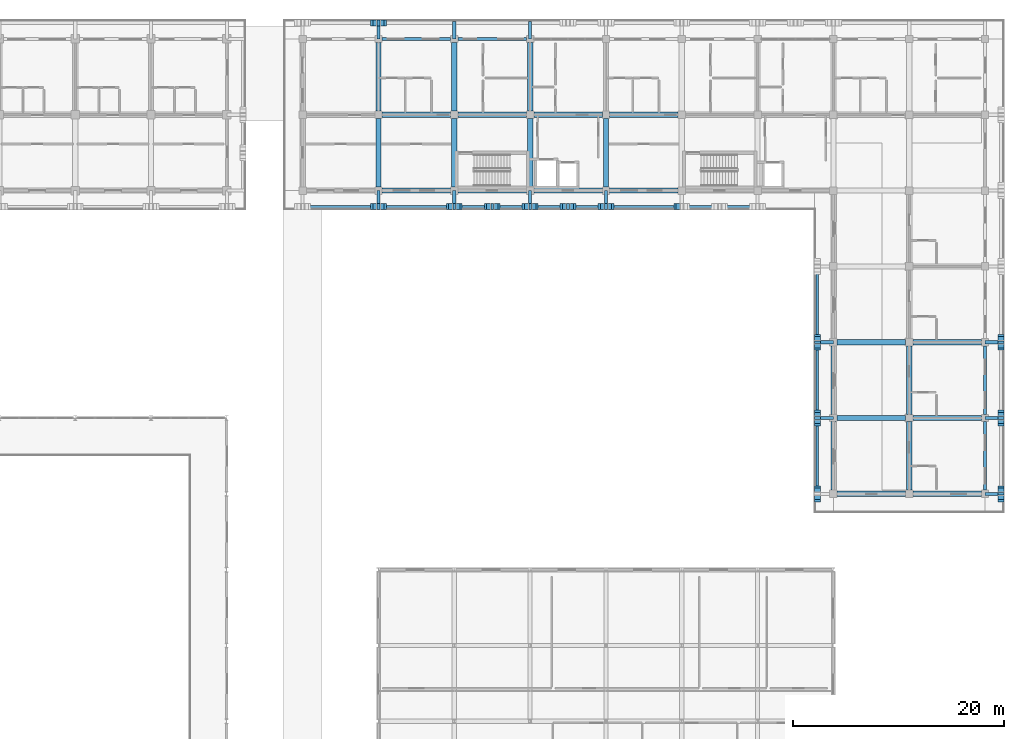
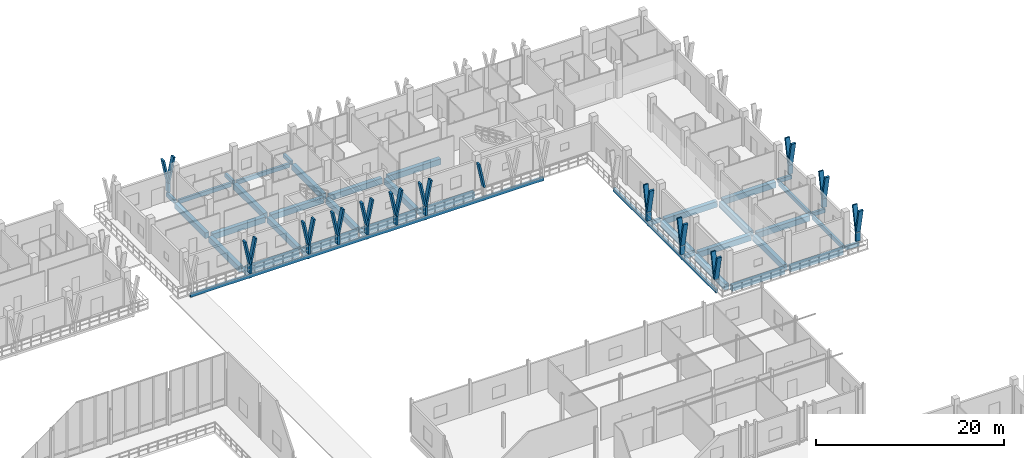
# One storey, part 51 of 110: 43 beams, 39 members.
"""IFC4 building model written with IfcOpenShell, lengths in metres."""

from ifc_helpers import new_model, si_unit, direction, frame, origin, origin_2d, place, context, subcontext, project, spatial, rectangle, extrude, material, material_profile, profile_set, type_object, element, save


model = new_model("IFC4")

# Units and contexts
model_context = context("Model", 3, precision=1e-05, world=origin(), true_north=direction((0.0, 1.0)))
body_context = subcontext(model_context, "Body", "Model", "MODEL_VIEW")
ifc_project = project(units=[si_unit("LENGTHUNIT", "METRE"), si_unit("AREAUNIT", "SQUARE_METRE"), si_unit("VOLUMEUNIT", "CUBIC_METRE"), si_unit("PLANEANGLEUNIT", "RADIAN"), si_unit("MASSUNIT", "GRAM", prefix="KILO")], contexts=[model_context])

# Site, building, storey
site_placement = place(None, origin())
site = spatial("IfcSite", under=ifc_project, at=site_placement, CompositionType="ELEMENT")
building_placement = place(site_placement, origin())
building = spatial("IfcBuilding", under=site, at=building_placement, Name="Suanplinth Sawtooth Commons", CompositionType="ELEMENT")
storey_placement = place(building_placement, frame((0.0, 0.0, 4.5)))
storey = spatial("IfcBuildingStorey", under=building, at=storey_placement, Name="L01", CompositionType="ELEMENT", Elevation=4.5)

# Beams
ifc_material_1 = material(Name="Concrete C40/50", Category="concrete")
ifc_material_profile_1 = material_profile(ifc_material_1, rectangle(XDim=0.5, YDim=0.75, at=origin_2d()), Name="RC-GDR 500x750")
ifc_profile_set_1 = profile_set([ifc_material_profile_1], Name="Concrete C40/50")
beam_type_1 = type_object("IfcBeamType", Name="B-03", PredefinedType="USERDEFINED", material=ifc_profile_set_1)
for number, where, z_axis, x_axis, name in (
    (1, (129.949951171875, 108.0, -0.675048828125), (1.0, 0.0, 0.0), (0.0, 1.0, 0.0), "BMX-L01-B-18-15"),
    (2, (129.949951171875, 115.199951171875, -0.675048828125), (1.0, 0.0, 0.0), (0.0, 1.0, 0.0), "BMX-L01-B-18-16"),
    (3, (137.14990234375, 108.0, -0.675048828125), (1.0, 0.0, 0.0), (0.0, 1.0, 0.0), "BMX-L01-B-19-15"),
    (4, (137.14990234375, 115.199951171875, -0.675048828125), (1.0, 0.0, 0.0), (0.0, 1.0, 0.0), "BMX-L01-B-19-16"),
    (5, (144.35009765625, 108.0, -0.675048828125), (1.0, 0.0, 0.0), (0.0, 1.0, 0.0), "BMX-L01-B-20-15"),
    (6, (144.35009765625, 115.199951171875, -0.675048828125), (1.0, 0.0, 0.0), (0.0, 1.0, 0.0), "BMX-L01-B-20-16"),
    (7, (151.550048828125, 108.0, -0.675048828125), (1.0, 0.0, 0.0), (0.0, 1.0, 0.0), "BMX-L01-B-21-15"),
    (8, (151.550048828125, 115.199951171875, -0.675048828125), (1.0, 0.0, 0.0), (0.0, 1.0, 0.0), "BMX-L01-B-21-16"),
    (9, (173.14990234375, 79.199951171875, -0.675048828125), (1.0, 0.0, 0.0), (0.0, 1.0, 0.0), "BMX-L01-B-24-11"),
    (10, (173.14990234375, 86.39990234375, -0.675048828125), (1.0, 0.0, 0.0), (0.0, 1.0, 0.0), "BMX-L01-B-24-12"),
    (11, (173.14990234375, 93.60009765625, -0.675048828125), (1.0, 0.0, 0.0), (0.0, 1.0, 0.0), "BMX-L01-B-24-13"),
    (12, (180.35009765625, 79.199951171875, -0.675048828125), (1.0, 0.0, 0.0), (0.0, 1.0, 0.0), "BMX-L01-B-25-11"),
    (13, (180.35009765625, 86.39990234375, -0.675048828125), (1.0, 0.0, 0.0), (0.0, 1.0, 0.0), "BMX-L01-B-25-12"),
    (14, (180.35009765625, 93.60009765625, -0.675048828125), (1.0, 0.0, 0.0), (0.0, 1.0, 0.0), "BMX-L01-B-25-13"),
    (15, (129.60009765625, 108.35009765625, -0.675048828125), (0.0, 1.0, 0.0), (-1.0, 0.0, 0.0), "BMY-L01-B-18-15"),
    (16, (129.60009765625, 115.550048828125, -0.675048828125), (0.0, 1.0, 0.0), (-1.0, 0.0, 0.0), "BMY-L01-B-18-16"),
    (17, (136.800048828125, 108.35009765625, -0.675048828125), (0.0, 1.0, 0.0), (-1.0, 0.0, 0.0), "BMY-L01-B-19-15"),
    (18, (136.800048828125, 115.550048828125, -0.675048828125), (0.0, 1.0, 0.0), (-1.0, 0.0, 0.0), "BMY-L01-B-19-16"),
    (19, (144.0, 108.35009765625, -0.675048828125), (0.0, 1.0, 0.0), (-1.0, 0.0, 0.0), "BMY-L01-B-20-15"),
    (20, (144.0, 115.550048828125, -0.675048828125), (0.0, 1.0, 0.0), (-1.0, 0.0, 0.0), "BMY-L01-B-20-16"),
    (21, (151.199951171875, 108.35009765625, -0.675048828125), (0.0, 1.0, 0.0), (-1.0, 0.0, 0.0), "BMY-L01-B-21-15"),
    (22, (172.800048828125, 79.550048828125, -0.675048828125), (0.0, 1.0, 0.0), (-1.0, 0.0, 0.0), "BMY-L01-B-24-11"),
    (23, (172.800048828125, 86.75, -0.675048828125), (0.0, 1.0, 0.0), (-1.0, 0.0, 0.0), "BMY-L01-B-24-12"),
    (24, (180.0, 79.550048828125, -0.675048828125), (0.0, 1.0, 0.0), (-1.0, 0.0, 0.0), "BMY-L01-B-25-11"),
    (25, (180.0, 86.75, -0.675048828125), (0.0, 1.0, 0.0), (-1.0, 0.0, 0.0), "BMY-L01-B-25-12"),
):
    element("IfcBeam", number, at=place(storey_placement, frame(where, z_axis=z_axis, x_axis=x_axis)), inside=storey, type_object=beam_type_1, Name=name, ObjectType="GIRDER", PredefinedType="USERDEFINED", context=body_context, shape_type="SweptSolid", body=[
        extrude(rectangle(XDim=0.5, YDim=0.75, at=origin_2d()), origin(), (0.0, 0.0, 1.0), 6.5),
    ])
ifc_material_2 = material(Name="Precast concrete C40/50", Category="concrete")
ifc_material_profile_2 = material_profile(ifc_material_2, rectangle(XDim=0.300048828125, YDim=0.5, at=origin_2d()), Name="PC-BM 300x500")
ifc_profile_set_2 = profile_set([ifc_material_profile_2], Name="Precast concrete C40/50")
beam_type_2 = type_object("IfcBeamType", Name="B-07", PredefinedType="BEAM", material=ifc_profile_set_2)
for number, where, z_axis, x_axis, name in (
    (26, (129.60009765625, 122.39990234375, -0.429931640625), (0.0, 1.0, 0.0), (-1.0, 0.0, 0.0), "Balcony Outrigger L01-B-N-18"),
    (27, (136.800048828125, 122.39990234375, -0.429931640625), (0.0, 1.0, 0.0), (-1.0, 0.0, 0.0), "Balcony Outrigger L01-B-N-19"),
    (28, (144.0, 122.39990234375, -0.429931640625), (0.0, 1.0, 0.0), (-1.0, 0.0, 0.0), "Balcony Outrigger L01-B-N-20"),
    (29, (187.199951171875, 79.199951171875, -0.429931640625), (1.0, 0.0, 0.0), (0.0, 1.0, 0.0), "Balcony Outrigger L01-B-E-11"),
    (30, (187.199951171875, 86.39990234375, -0.429931640625), (1.0, 0.0, 0.0), (0.0, 1.0, 0.0), "Balcony Outrigger L01-B-E-12"),
    (31, (187.199951171875, 93.60009765625, -0.429931640625), (1.0, 0.0, 0.0), (0.0, 1.0, 0.0), "Balcony Outrigger L01-B-E-13"),
):
    element("IfcBeam", number, at=place(storey_placement, frame(where, z_axis=z_axis, x_axis=x_axis)), inside=storey, type_object=beam_type_2, Name=name, PredefinedType="BEAM", context=body_context, shape_type="SweptSolid", body=[
        extrude(rectangle(XDim=0.300048828125, YDim=0.5, at=origin_2d()), origin(), (0.0, 0.0, 1.0), 1.64013671875),
    ])
for number, where, z_axis, x_axis, name in (
    (32, (129.60009765625, 108.0, -0.425048828125), (0.0, -1.0, 0.0), (1.0, 0.0, 0.0), "Balcony Outrigger L01-B-SC-18"),
    (33, (136.800048828125, 108.0, -0.425048828125), (0.0, -1.0, 0.0), (1.0, 0.0, 0.0), "Balcony Outrigger L01-B-SC-19"),
    (34, (144.0, 108.0, -0.425048828125), (0.0, -1.0, 0.0), (1.0, 0.0, 0.0), "Balcony Outrigger L01-B-SC-20"),
    (35, (151.199951171875, 108.0, -0.425048828125), (0.0, -1.0, 0.0), (1.0, 0.0, 0.0), "Balcony Outrigger L01-B-SC-21"),
):
    element("IfcBeam", number, at=place(storey_placement, frame(where, z_axis=z_axis, x_axis=x_axis)), inside=storey, type_object=beam_type_2, Name=name, PredefinedType="BEAM", context=body_context, shape_type="SweptSolid", body=[
        extrude(rectangle(XDim=0.300048828125, YDim=0.5, at=origin_2d()), origin(), (0.0, 0.0, 1.0), 1.639892578125),
    ])
for number, where, z_axis, x_axis, name in (
    (36, (172.800048828125, 86.39990234375, -0.425048828125), (-1.0, 0.0, 0.0), (0.0, -1.0, 0.0), "Balcony Outrigger L01-B-WC-12"),
    (37, (172.800048828125, 93.60009765625, -0.425048828125), (-1.0, 0.0, 0.0), (0.0, -1.0, 0.0), "Balcony Outrigger L01-B-WC-13"),
):
    element("IfcBeam", number, at=place(storey_placement, frame(where, z_axis=z_axis, x_axis=x_axis)), inside=storey, type_object=beam_type_2, Name=name, PredefinedType="BEAM", context=body_context, shape_type="SweptSolid", body=[
        extrude(rectangle(XDim=0.300048828125, YDim=0.5, at=origin_2d()), origin(), (0.0, 0.0, 1.0), 1.64013671875),
    ])
ifc_material_profile_3 = material_profile(ifc_material_2, rectangle(XDim=0.280029296875, YDim=0.52001953125, at=origin_2d()), Name="PC-SP 280x520")
ifc_profile_set_3 = profile_set([ifc_material_profile_3], Name="Precast concrete C40/50")
beam_type_3 = type_object("IfcBeamType", Name="B-08", PredefinedType="SPANDREL", material=ifc_profile_set_3)
for number, where, z_axis, x_axis, name in (
    (38, (129.949951171875, 122.39990234375, -0.56005859375), (1.0, 0.0, 0.0), (0.0, 1.0, 0.0), "BMX-L01-B-18-17"),
    (39, (137.14990234375, 122.39990234375, -0.56005859375), (1.0, 0.0, 0.0), (0.0, 1.0, 0.0), "BMX-L01-B-19-17"),
    (40, (187.199951171875, 79.550048828125, -0.56005859375), (0.0, 1.0, 0.0), (-1.0, 0.0, 0.0), "BMY-L01-B-26-11"),
    (41, (187.199951171875, 86.75, -0.56005859375), (0.0, 1.0, 0.0), (-1.0, 0.0, 0.0), "BMY-L01-B-26-12"),
):
    element("IfcBeam", number, at=place(storey_placement, frame(where, z_axis=z_axis, x_axis=x_axis)), inside=storey, type_object=beam_type_3, Name=name, PredefinedType="SPANDREL", context=body_context, shape_type="SweptSolid", body=[
        extrude(rectangle(XDim=0.280029296875, YDim=0.52001953125, at=origin_2d()), origin(), (0.0, 0.0, 1.0), 6.5),
    ])
ifc_material_profile_4 = material_profile(ifc_material_2, rectangle(XDim=0.25, YDim=0.449951171875, at=origin_2d()), Name="PC-SP 250x450")
ifc_profile_set_4 = profile_set([ifc_material_profile_4], Name="Precast concrete C40/50")
beam_type_4 = type_object("IfcBeamType", Name="B-09", PredefinedType="SPANDREL", material=ifc_profile_set_4)
beam_1_placement = place(storey_placement, frame((122.25, 106.47998046875, -0.39990234375), z_axis=(1.0, 0.0, 0.0), x_axis=(0.0, 1.0, 0.0)))
element("IfcBeam", 42, at=beam_1_placement, inside=storey, type_object=beam_type_4, Name="Balcony Edge Fascia L01-B-SC", PredefinedType="SPANDREL", context=body_context, shape_type="SweptSolid", body=[
    extrude(rectangle(XDim=0.25, YDim=0.449951171875, at=origin_2d()), origin(), (0.0, 0.0, 1.0), 43.5),
])
beam_2_placement = place(storey_placement, frame((171.280029296875, 79.050048828125, -0.39990234375), z_axis=(0.0, 1.0, 0.0), x_axis=(-1.0, 0.0, 0.0)))
element("IfcBeam", 43, at=beam_2_placement, inside=storey, type_object=beam_type_4, Name="Balcony Edge Fascia L01-B-WC", PredefinedType="SPANDREL", context=body_context, shape_type="SweptSolid", body=[
    extrude(rectangle(XDim=0.25, YDim=0.449951171875, at=origin_2d()), origin(), (0.0, 0.0, 1.0), 21.89990234375),
])

# Members
ifc_material_3 = material(Name="Pigmented precast concrete C40/50", Category="concrete")
ifc_material_profile_5 = material_profile(ifc_material_3, rectangle(XDim=0.260009765625, YDim=0.550048828125, at=origin_2d()), Name="PC-FIN 260x550")
ifc_profile_set_5 = profile_set([ifc_material_profile_5], Name="Pigmented precast concrete C40/50")
member_type_1 = type_object("IfcMemberType", Name="M-09", PredefinedType="USERDEFINED", material=ifc_profile_set_5)
for number, where, z_axis, x_axis, name in (
    (44, (129.60009765625, 123.919921875, 0.0), (0.0, 0.0, 1.0), (1.0, 0.0, 0.0), "Y-Blade Stem L01-B-N-02"),
    (45, (188.719970703125, 79.199951171875, 0.0), (0.0, 0.0, 1.0), (0.0, 1.0, 0.0), "Y-Blade Stem L01-B-E-09"),
    (46, (188.719970703125, 86.39990234375, 0.0), (0.0, 0.0, 1.0), (0.0, 1.0, 0.0), "Y-Blade Stem L01-B-E-10"),
    (47, (188.719970703125, 93.60009765625, 0.0), (0.0, 0.0, 1.0), (0.0, 1.0, 0.0), "Y-Blade Stem L01-B-E-11"),
    (48, (129.60009765625, 106.47998046875, 0.0), (0.0, 0.0, 1.0), (1.0, 0.0, 0.0), "Y-Blade Stem L01-B-SC-16"),
    (49, (136.800048828125, 106.47998046875, 0.0), (0.0, 0.0, 1.0), (1.0, 0.0, 0.0), "Y-Blade Stem L01-B-SC-17"),
    (50, (140.39990234375, 106.47998046875, 0.0), (0.0, 0.0, 1.0), (1.0, 0.0, 0.0), "Y-Blade Stem L01-B-SC-18"),
    (51, (144.0, 106.47998046875, 0.0), (0.0, 0.0, 1.0), (1.0, 0.0, 0.0), "Y-Blade Stem L01-B-SC-19"),
    (52, (147.60009765625, 106.47998046875, 0.0), (0.0, 0.0, 1.0), (1.0, 0.0, 0.0), "Y-Blade Stem L01-B-SC-20"),
    (53, (151.199951171875, 106.47998046875, 0.0), (0.0, 0.0, 1.0), (1.0, 0.0, 0.0), "Y-Blade Stem L01-B-SC-21"),
    (54, (171.280029296875, 86.39990234375, 0.0), (0.0, 0.0, 1.0), (0.0, 1.0, 0.0), "Y-Blade Stem L01-B-WC-26"),
    (55, (171.280029296875, 93.60009765625, 0.0), (0.0, 0.0, 1.0), (0.0, 1.0, 0.0), "Y-Blade Stem L01-B-WC-27"),
):
    element("IfcMember", number, at=place(storey_placement, frame(where, z_axis=z_axis, x_axis=x_axis)), inside=storey, type_object=member_type_1, Name=name, ObjectType="SHADING FIN", PredefinedType="USERDEFINED", context=body_context, shape_type="SweptSolid", body=[
        extrude(rectangle(XDim=0.260009765625, YDim=0.550048828125, at=origin_2d()), origin(), (0.0, 0.0, 1.0), 1.169921875),
    ])
ifc_material_profile_6 = material_profile(ifc_material_3, rectangle(XDim=0.219970703125, YDim=0.550048828125, at=origin_2d()), Name="PC-FIN 220x550")
ifc_profile_set_6 = profile_set([ifc_material_profile_6], Name="Pigmented precast concrete C40/50")
member_type_2 = type_object("IfcMemberType", Name="M-10", PredefinedType="USERDEFINED", material=ifc_profile_set_6)
member_1_placement = place(storey_placement, frame((129.60009765625, 123.919921875, 1.1298828125), z_axis=(-0.197582858822, 0.0, 0.980286189793), x_axis=(0.980286189793, 0.0, 0.197582858822)))
element("IfcMember", 56, at=member_1_placement, inside=storey, type_object=member_type_2, Name="Y-Blade Arm L L01-B-N-02", ObjectType="SHADING FIN", PredefinedType="USERDEFINED", context=body_context, shape_type="SweptSolid", body=[
    extrude(rectangle(XDim=0.219970703125, YDim=0.550048828125, at=origin_2d()), origin(), (0.0, 0.0, 1.0), 3.2646484375),
])
for number, where, z_axis, x_axis, name in (
    (57, (129.60009765625, 123.919921875, 1.1298828125), (0.197510991436, 0.0, 0.980300672377), (-0.980300672377, 0.0, 0.197510991436), "Y-Blade Arm R L01-B-N-02"),
    (58, (188.719970703125, 79.199951171875, 1.1298828125), (0.0, -0.197510991436, 0.980300672377), (0.0, 0.980300672377, 0.197510991436), "Y-Blade Arm L L01-B-E-09"),
):
    element("IfcMember", number, at=place(storey_placement, frame(where, z_axis=z_axis, x_axis=x_axis)), inside=storey, type_object=member_type_2, Name=name, ObjectType="SHADING FIN", PredefinedType="USERDEFINED", context=body_context, shape_type="SweptSolid", body=[
        extrude(rectangle(XDim=0.219970703125, YDim=0.550048828125, at=origin_2d()), origin(), (0.0, 0.0, 1.0), 3.264404296875),
    ])
member_2_placement = place(storey_placement, frame((188.719970703125, 79.199951171875, 1.1298828125), z_axis=(0.0, 0.197582858822, 0.980286189793), x_axis=(0.0, -0.980286189793, 0.197582858822)))
element("IfcMember", 59, at=member_2_placement, inside=storey, type_object=member_type_2, Name="Y-Blade Arm R L01-B-E-09", ObjectType="SHADING FIN", PredefinedType="USERDEFINED", context=body_context, shape_type="SweptSolid", body=[
    extrude(rectangle(XDim=0.219970703125, YDim=0.550048828125, at=origin_2d()), origin(), (0.0, 0.0, 1.0), 3.2646484375),
])
member_3_placement = place(storey_placement, frame((188.719970703125, 86.39990234375, 1.1298828125), z_axis=(0.0, -0.197510991436, 0.980300672377), x_axis=(0.0, 0.980300672377, 0.197510991436)))
element("IfcMember", 60, at=member_3_placement, inside=storey, type_object=member_type_2, Name="Y-Blade Arm L L01-B-E-10", ObjectType="SHADING FIN", PredefinedType="USERDEFINED", context=body_context, shape_type="SweptSolid", body=[
    extrude(rectangle(XDim=0.219970703125, YDim=0.550048828125, at=origin_2d()), origin(), (0.0, 0.0, 1.0), 3.264404296875),
])
for number, where, z_axis, x_axis, name in (
    (61, (188.719970703125, 86.39990234375, 1.1298828125), (0.0, 0.197582858822, 0.980286189793), (0.0, -0.980286189793, 0.197582858822), "Y-Blade Arm R L01-B-E-10"),
    (62, (188.719970703125, 93.60009765625, 1.1298828125), (0.0, -0.197582858822, 0.980286189793), (0.0, 0.980286189793, 0.197582858822), "Y-Blade Arm L L01-B-E-11"),
):
    element("IfcMember", number, at=place(storey_placement, frame(where, z_axis=z_axis, x_axis=x_axis)), inside=storey, type_object=member_type_2, Name=name, ObjectType="SHADING FIN", PredefinedType="USERDEFINED", context=body_context, shape_type="SweptSolid", body=[
        extrude(rectangle(XDim=0.219970703125, YDim=0.550048828125, at=origin_2d()), origin(), (0.0, 0.0, 1.0), 3.2646484375),
    ])
member_4_placement = place(storey_placement, frame((188.719970703125, 93.60009765625, 1.1298828125), z_axis=(0.0, 0.197510991436, 0.980300672377), x_axis=(0.0, -0.980300672377, 0.197510991436)))
element("IfcMember", 63, at=member_4_placement, inside=storey, type_object=member_type_2, Name="Y-Blade Arm R L01-B-E-11", ObjectType="SHADING FIN", PredefinedType="USERDEFINED", context=body_context, shape_type="SweptSolid", body=[
    extrude(rectangle(XDim=0.219970703125, YDim=0.550048828125, at=origin_2d()), origin(), (0.0, 0.0, 1.0), 3.264404296875),
])
member_5_placement = place(storey_placement, frame((129.60009765625, 106.47998046875, 1.1298828125), z_axis=(-0.197582858822, 0.0, 0.980286189793), x_axis=(0.980286189793, 0.0, 0.197582858822)))
element("IfcMember", 64, at=member_5_placement, inside=storey, type_object=member_type_2, Name="Y-Blade Arm L L01-B-SC-16", ObjectType="SHADING FIN", PredefinedType="USERDEFINED", context=body_context, shape_type="SweptSolid", body=[
    extrude(rectangle(XDim=0.219970703125, YDim=0.550048828125, at=origin_2d()), origin(), (0.0, 0.0, 1.0), 3.2646484375),
])
member_6_placement = place(storey_placement, frame((129.60009765625, 106.47998046875, 1.1298828125), z_axis=(0.197510991436, 0.0, 0.980300672377), x_axis=(-0.980300672377, 0.0, 0.197510991436)))
element("IfcMember", 65, at=member_6_placement, inside=storey, type_object=member_type_2, Name="Y-Blade Arm R L01-B-SC-16", ObjectType="SHADING FIN", PredefinedType="USERDEFINED", context=body_context, shape_type="SweptSolid", body=[
    extrude(rectangle(XDim=0.219970703125, YDim=0.550048828125, at=origin_2d()), origin(), (0.0, 0.0, 1.0), 3.264404296875),
])
member_7_placement = place(storey_placement, frame((136.800048828125, 106.47998046875, 1.1298828125), z_axis=(-0.197582858822, 0.0, 0.980286189793), x_axis=(0.980286189793, 0.0, 0.197582858822)))
element("IfcMember", 66, at=member_7_placement, inside=storey, type_object=member_type_2, Name="Y-Blade Arm L L01-B-SC-17", ObjectType="SHADING FIN", PredefinedType="USERDEFINED", context=body_context, shape_type="SweptSolid", body=[
    extrude(rectangle(XDim=0.219970703125, YDim=0.550048828125, at=origin_2d()), origin(), (0.0, 0.0, 1.0), 3.2646484375),
])
for number, where, z_axis, x_axis, name in (
    (67, (136.800048828125, 106.47998046875, 1.1298828125), (0.197510991436, 0.0, 0.980300672377), (-0.980300672377, 0.0, 0.197510991436), "Y-Blade Arm R L01-B-SC-17"),
    (68, (140.39990234375, 106.47998046875, 1.1298828125), (-0.197510991436, 0.0, 0.980300672377), (0.980300672377, 0.0, 0.197510991436), "Y-Blade Arm L L01-B-SC-18"),
):
    element("IfcMember", number, at=place(storey_placement, frame(where, z_axis=z_axis, x_axis=x_axis)), inside=storey, type_object=member_type_2, Name=name, ObjectType="SHADING FIN", PredefinedType="USERDEFINED", context=body_context, shape_type="SweptSolid", body=[
        extrude(rectangle(XDim=0.219970703125, YDim=0.550048828125, at=origin_2d()), origin(), (0.0, 0.0, 1.0), 3.264404296875),
    ])
for number, where, z_axis, x_axis, name in (
    (69, (140.39990234375, 106.47998046875, 1.1298828125), (0.197582858822, 0.0, 0.980286189793), (-0.980286189793, 0.0, 0.197582858822), "Y-Blade Arm R L01-B-SC-18"),
    (70, (144.0, 106.47998046875, 1.1298828125), (-0.197582858822, 0.0, 0.980286189793), (0.980286189793, 0.0, 0.197582858822), "Y-Blade Arm L L01-B-SC-19"),
    (71, (144.0, 106.47998046875, 1.1298828125), (0.197582858822, 0.0, 0.980286189793), (-0.980286189793, 0.0, 0.197582858822), "Y-Blade Arm R L01-B-SC-19"),
    (72, (147.60009765625, 106.47998046875, 1.1298828125), (-0.197582858822, 0.0, 0.980286189793), (0.980286189793, 0.0, 0.197582858822), "Y-Blade Arm L L01-B-SC-20"),
):
    element("IfcMember", number, at=place(storey_placement, frame(where, z_axis=z_axis, x_axis=x_axis)), inside=storey, type_object=member_type_2, Name=name, ObjectType="SHADING FIN", PredefinedType="USERDEFINED", context=body_context, shape_type="SweptSolid", body=[
        extrude(rectangle(XDim=0.219970703125, YDim=0.550048828125, at=origin_2d()), origin(), (0.0, 0.0, 1.0), 3.2646484375),
    ])
for number, where, z_axis, x_axis, name in (
    (73, (147.60009765625, 106.47998046875, 1.1298828125), (0.197510991436, 0.0, 0.980300672377), (-0.980300672377, 0.0, 0.197510991436), "Y-Blade Arm R L01-B-SC-20"),
    (74, (151.199951171875, 106.47998046875, 1.1298828125), (-0.197510991436, 0.0, 0.980300672377), (0.980300672377, 0.0, 0.197510991436), "Y-Blade Arm L L01-B-SC-21"),
):
    element("IfcMember", number, at=place(storey_placement, frame(where, z_axis=z_axis, x_axis=x_axis)), inside=storey, type_object=member_type_2, Name=name, ObjectType="SHADING FIN", PredefinedType="USERDEFINED", context=body_context, shape_type="SweptSolid", body=[
        extrude(rectangle(XDim=0.219970703125, YDim=0.550048828125, at=origin_2d()), origin(), (0.0, 0.0, 1.0), 3.264404296875),
    ])
member_8_placement = place(storey_placement, frame((151.199951171875, 106.47998046875, 1.1298828125), z_axis=(0.197582858822, 0.0, 0.980286189793), x_axis=(-0.980286189793, 0.0, 0.197582858822)))
element("IfcMember", 75, at=member_8_placement, inside=storey, type_object=member_type_2, Name="Y-Blade Arm R L01-B-SC-21", ObjectType="SHADING FIN", PredefinedType="USERDEFINED", context=body_context, shape_type="SweptSolid", body=[
    extrude(rectangle(XDim=0.219970703125, YDim=0.550048828125, at=origin_2d()), origin(), (0.0, 0.0, 1.0), 3.2646484375),
])
for number, where, z_axis, x_axis, name in (
    (76, (158.39990234375, 106.47998046875, 1.1298828125), (-0.197510991436, 0.0, 0.980300672377), (0.980300672377, 0.0, 0.197510991436), "Y-Blade Arm L L01-B-SC-22"),
    (77, (171.280029296875, 79.199951171875, 1.1298828125), (0.0, -0.197510991436, 0.980300672377), (0.0, 0.980300672377, 0.197510991436), "Y-Blade Arm L L01-B-WC-25"),
):
    element("IfcMember", number, at=place(storey_placement, frame(where, z_axis=z_axis, x_axis=x_axis)), inside=storey, type_object=member_type_2, Name=name, ObjectType="SHADING FIN", PredefinedType="USERDEFINED", context=body_context, shape_type="SweptSolid", body=[
        extrude(rectangle(XDim=0.219970703125, YDim=0.550048828125, at=origin_2d()), origin(), (0.0, 0.0, 1.0), 3.264404296875),
    ])
member_9_placement = place(storey_placement, frame((171.280029296875, 79.199951171875, 1.1298828125), z_axis=(0.0, 0.197582858822, 0.980286189793), x_axis=(0.0, -0.980286189793, 0.197582858822)))
element("IfcMember", 78, at=member_9_placement, inside=storey, type_object=member_type_2, Name="Y-Blade Arm R L01-B-WC-25", ObjectType="SHADING FIN", PredefinedType="USERDEFINED", context=body_context, shape_type="SweptSolid", body=[
    extrude(rectangle(XDim=0.219970703125, YDim=0.550048828125, at=origin_2d()), origin(), (0.0, 0.0, 1.0), 3.2646484375),
])
member_10_placement = place(storey_placement, frame((171.280029296875, 86.39990234375, 1.1298828125), z_axis=(0.0, -0.197510991436, 0.980300672377), x_axis=(0.0, 0.980300672377, 0.197510991436)))
element("IfcMember", 79, at=member_10_placement, inside=storey, type_object=member_type_2, Name="Y-Blade Arm L L01-B-WC-26", ObjectType="SHADING FIN", PredefinedType="USERDEFINED", context=body_context, shape_type="SweptSolid", body=[
    extrude(rectangle(XDim=0.219970703125, YDim=0.550048828125, at=origin_2d()), origin(), (0.0, 0.0, 1.0), 3.264404296875),
])
for number, where, z_axis, x_axis, name in (
    (80, (171.280029296875, 86.39990234375, 1.1298828125), (0.0, 0.197582858822, 0.980286189793), (0.0, -0.980286189793, 0.197582858822), "Y-Blade Arm R L01-B-WC-26"),
    (81, (171.280029296875, 93.60009765625, 1.1298828125), (0.0, -0.197582858822, 0.980286189793), (0.0, 0.980286189793, 0.197582858822), "Y-Blade Arm L L01-B-WC-27"),
):
    element("IfcMember", number, at=place(storey_placement, frame(where, z_axis=z_axis, x_axis=x_axis)), inside=storey, type_object=member_type_2, Name=name, ObjectType="SHADING FIN", PredefinedType="USERDEFINED", context=body_context, shape_type="SweptSolid", body=[
        extrude(rectangle(XDim=0.219970703125, YDim=0.550048828125, at=origin_2d()), origin(), (0.0, 0.0, 1.0), 3.2646484375),
    ])
member_11_placement = place(storey_placement, frame((171.280029296875, 93.60009765625, 1.1298828125), z_axis=(0.0, 0.197510991436, 0.980300672377), x_axis=(0.0, -0.980300672377, 0.197510991436)))
element("IfcMember", 82, at=member_11_placement, inside=storey, type_object=member_type_2, Name="Y-Blade Arm R L01-B-WC-27", ObjectType="SHADING FIN", PredefinedType="USERDEFINED", context=body_context, shape_type="SweptSolid", body=[
    extrude(rectangle(XDim=0.219970703125, YDim=0.550048828125, at=origin_2d()), origin(), (0.0, 0.0, 1.0), 3.264404296875),
])

save(model, "model.ifc")
